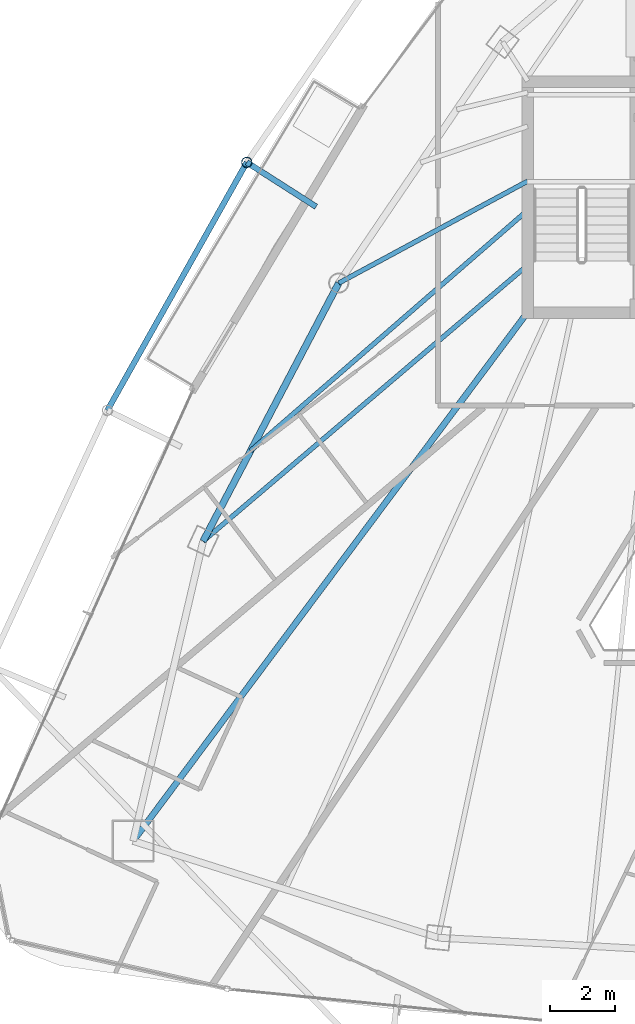
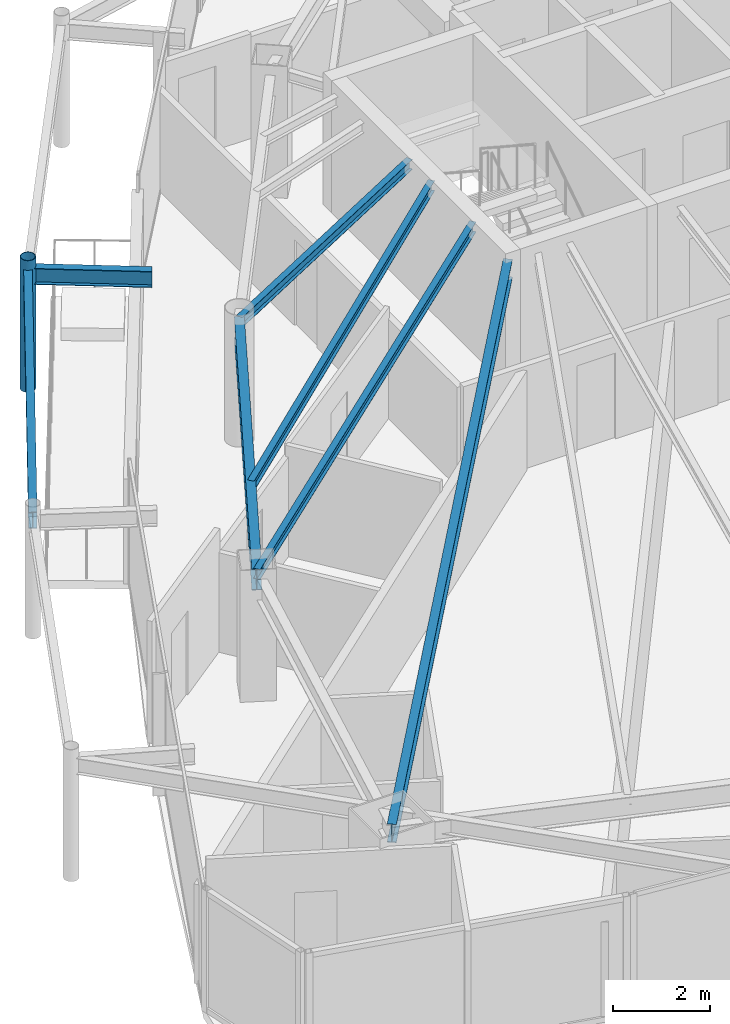
# One storey, part 12 of 33: 7 beams, 1 member.
"""IFC4 building model written with IfcOpenShell, lengths in metres."""

from ifc_helpers import new_model, si_unit, direction, frame, origin, origin_2d, place, context, subcontext, project, spatial, hollow_circle, i_section, extrude, material, material_profile, profile_set, type_object, element, save


model = new_model("IFC4")

# Units and contexts
model_context = context("Model", 3, precision=1e-05, world=origin(), true_north=direction((0.0, 1.0)))
body_context = subcontext(model_context, "Body", "Model", "MODEL_VIEW")
ifc_project = project(units=[si_unit("LENGTHUNIT", "METRE"), si_unit("AREAUNIT", "SQUARE_METRE"), si_unit("VOLUMEUNIT", "CUBIC_METRE"), si_unit("PLANEANGLEUNIT", "RADIAN"), si_unit("MASSUNIT", "GRAM", prefix="KILO")], contexts=[model_context])

# Site, building, storey
site_placement = place(None, origin())
site = spatial("IfcSite", under=ifc_project, at=site_placement, CompositionType="ELEMENT")
building_placement = place(site_placement, origin())
building = spatial("IfcBuilding", under=site, at=building_placement, Name="Orvanel Arch Residences", CompositionType="ELEMENT")
storey_placement = place(building_placement, frame((0.0, 0.0, 209.60009765625)))
storey = spatial("IfcBuildingStorey", under=building, at=storey_placement, Name="L59", CompositionType="ELEMENT", Elevation=209.60009765625)

# Beams
ifc_material_1 = material(Name="Structural steel AS/NZS 3679.1 Grade 300 (300 MPa)", Category="steel")
ifc_material_profile_1 = material_profile(ifc_material_1, i_section(OverallWidth=0.19091796875, OverallDepth=0.4599609375, WebThickness=0.010009765625, FlangeThickness=0.01611328125, at=origin_2d()), Name="460UB82.1")
ifc_profile_set_1 = profile_set([ifc_material_profile_1], Name="Structural steel AS/NZS 3679.1 Grade 300 (300 MPa)")
beam_type_1 = type_object("IfcBeamType", Name="BG-460UB", PredefinedType="BEAM", material=ifc_profile_set_1)
beam_1_placement = place(storey_placement, frame((26.375, 26.675048828125, 2.829833984375), z_axis=(-0.597893733742, -0.801575375839, 0.0), x_axis=(0.801575375839, -0.597893733742, 0.0)))
element("IfcBeam", 1, at=beam_1_placement, inside=storey, type_object=beam_type_1, Name="L59 South-West Radial Girder", PredefinedType="BEAM", context=body_context, shape_type="SweptSolid", body=[
    extrude(i_section(OverallWidth=0.19091796875, OverallDepth=0.4599609375, WebThickness=0.010009765625, FlangeThickness=0.01611328125, at=origin_2d()), origin(), (0.0, 0.0, 1.0), 20.36474609375),
])
ifc_material_profile_2 = material_profile(ifc_material_1, i_section(OverallWidth=0.14599609375, OverallDepth=0.251953125, WebThickness=0.006103515625, FlangeThickness=0.008544921875, at=origin_2d()), Name="250UB31.4")
ifc_profile_set_2 = profile_set([ifc_material_profile_2], Name="Structural steel AS/NZS 3679.1 Grade 300 (300 MPa)")
beam_type_2 = type_object("IfcBeamType", Name="BJ-250UB", PredefinedType="JOIST", material=ifc_profile_set_2)
beam_2_placement = place(storey_placement, frame((26.425048828125, 30.800048828125, 2.933837890625), z_axis=(-0.880111494021, -0.474767056664, 0.0), x_axis=(0.474767056664, -0.880111494021, 0.0)))
element("IfcBeam", 2, at=beam_2_placement, inside=storey, type_object=beam_type_2, Name="L59 NW Wing Floor Joist", PredefinedType="JOIST", context=body_context, shape_type="SweptSolid", body=[
    extrude(i_section(OverallWidth=0.14599609375, OverallDepth=0.251953125, WebThickness=0.006103515625, FlangeThickness=0.008544921875, at=origin_2d()), origin(), (0.0, 0.0, 1.0), 6.653564453125),
])
beam_3_placement = place(storey_placement, frame((26.425048828125, 28.199951171875, 2.933837890625), z_axis=(-0.761622669031, -0.64802076357, 0.0), x_axis=(0.64802076357, -0.761622669031, 0.0)))
element("IfcBeam", 3, at=beam_3_placement, inside=storey, type_object=beam_type_2, Name="L59 W Wing Floor Joist", PredefinedType="JOIST", context=body_context, shape_type="SweptSolid", body=[
    extrude(i_section(OverallWidth=0.14599609375, OverallDepth=0.251953125, WebThickness=0.006103515625, FlangeThickness=0.008544921875, at=origin_2d()), origin(), (0.0, 0.0, 1.0), 13.2060546875),
])
beam_4_placement = place(storey_placement, frame((26.425048828125, 29.89990234375, 2.933837890625), z_axis=(-0.755000957585, -0.655723687269, 0.0), x_axis=(0.655723687269, -0.755000957585, 0.0)))
element("IfcBeam", 4, at=beam_4_placement, inside=storey, type_object=beam_type_2, Name="L59 CTW Wing Floor Joist", PredefinedType="JOIST", context=body_context, shape_type="SweptSolid", body=[
    extrude(i_section(OverallWidth=0.14599609375, OverallDepth=0.251953125, WebThickness=0.006103515625, FlangeThickness=0.008544921875, at=origin_2d()), origin(), (0.0, 0.0, 1.0), 11.373779296875),
])
ifc_material_profile_3 = material_profile(ifc_material_1, i_section(OverallWidth=0.177978515625, OverallDepth=0.406005859375, WebThickness=0.0078125, FlangeThickness=0.0126953125, at=origin_2d()), Name="410UB59.7")
ifc_profile_set_3 = profile_set([ifc_material_profile_3], Name="Structural steel AS/NZS 3679.1 Grade 300 (300 MPa)")
beam_type_3 = type_object("IfcBeamType", Name="OB-410UB-EXT", PredefinedType="SPANDREL", material=ifc_profile_set_3)
beam_5_placement = place(storey_placement, frame((19.867919921875, 30.007080078125, 2.85693359375), z_axis=(-0.842389625194, 0.53886892596, 0.0), x_axis=(-0.53886892596, -0.842389625194, 0.0)))
element("IfcBeam", 5, at=beam_5_placement, inside=storey, type_object=beam_type_3, Name="L59 Outer Frame Radial Tie Beam 02", PredefinedType="SPANDREL", context=body_context, shape_type="SweptSolid", body=[
    extrude(i_section(OverallWidth=0.177978515625, OverallDepth=0.406005859375, WebThickness=0.0078125, FlangeThickness=0.0126953125, at=origin_2d()), origin(), (0.0, 0.0, 1.0), 2.5498046875),
])
beam_6_placement = place(storey_placement, frame((17.719970703125, 31.381103515625, 2.85693359375), z_axis=(-0.490069250464, -0.871683503199, 0.0), x_axis=(0.871683503199, -0.490069250464, 0.0)))
element("IfcBeam", 6, at=beam_6_placement, inside=storey, type_object=beam_type_3, Name="L59 Outer Perimeter Floor Ring Beam 02", PredefinedType="SPANDREL", context=body_context, shape_type="SweptSolid", body=[
    extrude(i_section(OverallWidth=0.177978515625, OverallDepth=0.406005859375, WebThickness=0.0078125, FlangeThickness=0.0126953125, at=origin_2d()), origin(), (0.0, 0.0, 1.0), 8.815185546875),
])
ifc_material_profile_4 = material_profile(ifc_material_1, i_section(OverallWidth=0.208984375, OverallDepth=0.532958984375, WebThickness=0.01025390625, FlangeThickness=0.015625, at=origin_2d()), Name="530UB92.4")
ifc_profile_set_4 = profile_set([ifc_material_profile_4], Name="Structural steel AS/NZS 3679.1 Grade 300 (300 MPa)")
beam_type_4 = type_object("IfcBeamType", Name="SP-530UB", PredefinedType="SPANDREL", material=ifc_profile_set_4)
beam_7_placement = place(storey_placement, frame((20.569091796875, 27.64111328125, 2.79296875), z_axis=(-0.465064762793, -0.885276660942, 0.0), x_axis=(0.885276660942, -0.465064762793, 0.0)))
element("IfcBeam", 7, at=beam_7_placement, inside=storey, type_object=beam_type_4, Name="L59 Perimeter Spandrel Beam 12", PredefinedType="SPANDREL", context=body_context, shape_type="SweptSolid", body=[
    extrude(i_section(OverallWidth=0.208984375, OverallDepth=0.532958984375, WebThickness=0.01025390625, FlangeThickness=0.015625, at=origin_2d()), origin(), (0.0, 0.0, 1.0), 9.03564453125),
])

# Member
ifc_material_2 = material(Name="Structural steel AS/NZS 1163 C350L0 (Grade 350)", Category="steel")
ifc_material_profile_5 = material_profile(ifc_material_2, hollow_circle(Radius=0.162109375, WallThickness=0.0126953125, at=origin_2d()), Name="CHS324x12.7")
ifc_profile_set_5 = profile_set([ifc_material_profile_5], Name="Structural steel AS/NZS 1163 C350L0 (Grade 350)")
member_type = type_object("IfcMemberType", Name="ST-324CHS-EXT", PredefinedType="STRUT", material=ifc_profile_set_5)
member_placement = place(storey_placement, frame((17.719970703125, 31.381103515625, 0.0), z_axis=(0.0, 0.0, 1.0), x_axis=(1.0, 0.0, 0.0)))
element("IfcMember", 8, at=member_placement, inside=storey, type_object=member_type, Name="L59 Outer Perimeter Frame Post 02", PredefinedType="STRUT", context=body_context, shape_type="SweptSolid", body=[
    extrude(hollow_circle(Radius=0.162109375, WallThickness=0.0126953125, at=origin_2d()), origin(), (0.0, 0.0, 1.0), 3.2998046875),
])

save(model, "model.ifc")
